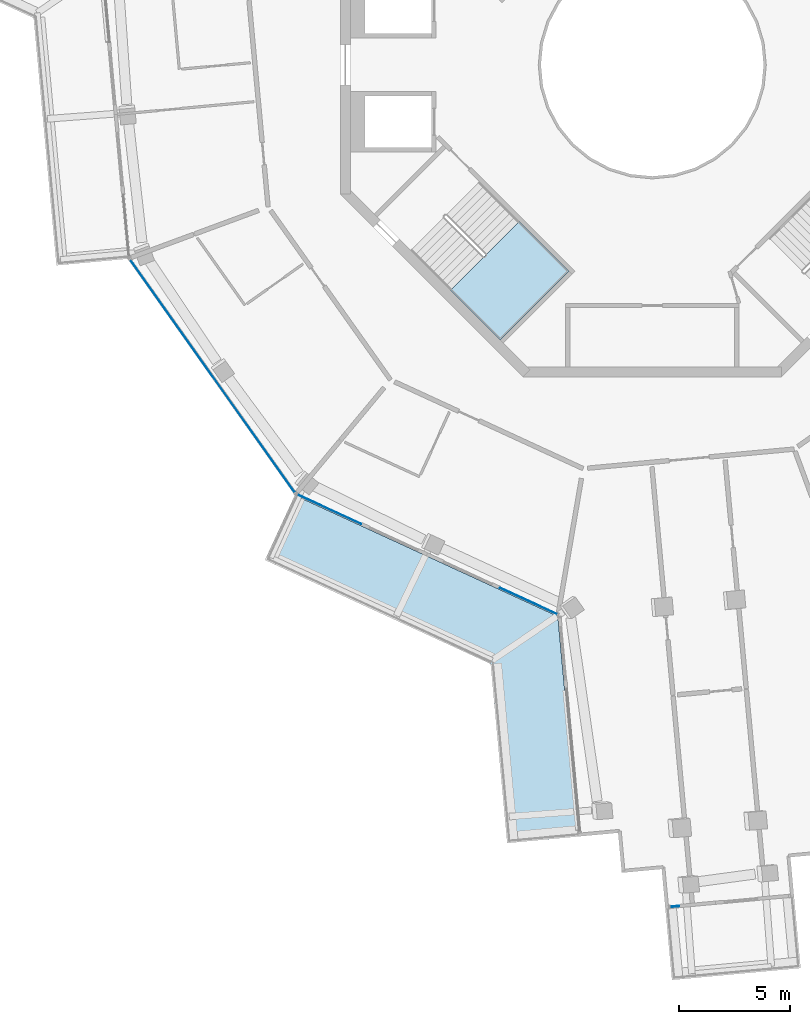
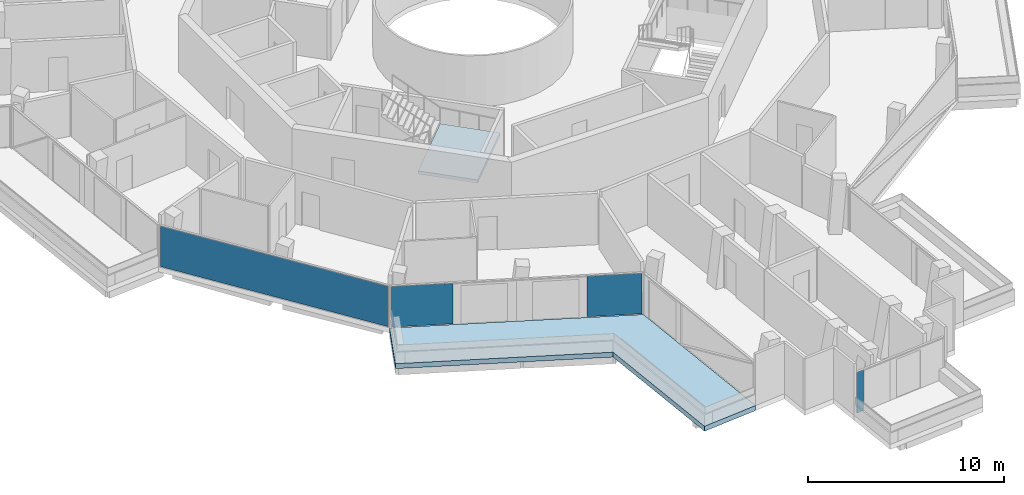
# One storey, part 12 of 25: 4 plates, 2 slabs, 4 elements without a shape of their own.
"""IFC4 building model written with IfcOpenShell, lengths in metres."""

from ifc_helpers import new_model, si_unit, direction, frame, origin, origin_2d, place, context, subcontext, project, spatial, polyline, rectangle, outline, extrude, material, layer, layer_set, type_object, element, aggregate, save


model = new_model("IFC4")

# Units and contexts
model_context = context("Model", 3, precision=1e-05, world=origin(), true_north=direction((0.0, 1.0)))
body_context = subcontext(model_context, "Body", "Model", "MODEL_VIEW")
ifc_project = project(units=[si_unit("LENGTHUNIT", "METRE"), si_unit("AREAUNIT", "SQUARE_METRE"), si_unit("VOLUMEUNIT", "CUBIC_METRE"), si_unit("PLANEANGLEUNIT", "RADIAN"), si_unit("MASSUNIT", "GRAM", prefix="KILO")], contexts=[model_context])

# Site, building, storey
site_placement = place(None, origin())
site = spatial("IfcSite", under=ifc_project, at=site_placement, CompositionType="ELEMENT")
building_placement = place(site_placement, origin())
building = spatial("IfcBuilding", under=site, at=building_placement, Name="Verdalira Terraces Hotel", CompositionType="ELEMENT")
storey_placement = place(building_placement, frame((0.0, 0.0, 299.5)))
storey = spatial("IfcBuildingStorey", under=building, at=storey_placement, Name="L74", CompositionType="ELEMENT", Elevation=299.5)

# Slab
ifc_material_1 = material(Name="Precast concrete C40/50", Category="concrete")
ifc_layer_1 = layer(ifc_material_1, 0.31005859375)
ifc_layer_set_1 = layer_set([ifc_layer_1], Name="Balcony deck 310")
slab_type_1 = type_object("IfcSlabType", Name="Balcony deck 310", PredefinedType="FLOOR", material=ifc_layer_set_1)
slab_1_placement = place(storey_placement, frame((0.0, 0.0, -0.310059)))
element("IfcSlab", 1, at=slab_1_placement, inside=storey, type_object=slab_type_1, Name="Balcony deck", PredefinedType="FLOOR", context=body_context, shape_type="SweptSolid", body=[
    extrude(outline(polyline([(-7.256592, -26.887695), (-6.513184, -34.931396), (-3.32666, -34.636963), (-4.23999, -24.753662), (-16.048828, -19.317139), (-17.386963, -22.223877), (-7.256592, -26.887695)])), origin(), (0.0, 0.0, 1.0), 0.310059),
])

# Curtain wall, plate
ifc_material_2 = material(Name="Clear glass", Category="glass")
ifc_layer_2 = layer(ifc_material_2, 0.14990234375)
ifc_layer_set_2 = layer_set([ifc_layer_2], Name="CW1 curtain wall")
curtain_wall_type_1 = type_object("IfcCurtainWallType", Name="CW1 curtain wall", PredefinedType="NOTDEFINED", material=ifc_layer_set_2)
curtain_wall_1_placement = place(storey_placement, origin())
curtain_wall_1 = element("IfcCurtainWall", 2, at=curtain_wall_1_placement, inside=storey, type_object=curtain_wall_type_1, Name="CW1 curtain wall L74 edge 12", PredefinedType="NOTDEFINED")
ifc_material_3 = material(Name="Clear glass", Category="glass")
ifc_layer_3 = layer(ifc_material_3, 0.028076171875)
ifc_layer_set_3 = layer_set([ifc_layer_3], Name="CW1 glass unit 28")
plate_type_1 = type_object("IfcPlateType", Name="CW1 glass unit 28", PredefinedType="CURTAIN_PANEL", material=ifc_layer_set_3)
plate_1_placement = place(storey_placement, frame((-19.741699, -13.967529, 0.0), z_axis=(0.0, 0.0, 1.0), x_axis=(0.577572703, -0.816339251, 0.0)))
plate_1 = element("IfcPlate", 3, at=plate_1_placement, type_object=plate_type_1, Name="CW1 glass unit", PredefinedType="CURTAIN_PANEL", context=body_context, shape_type="SweptSolid", body=[
    extrude(rectangle(XDim=12.799561, YDim=0.028076, at=origin_2d()), origin(), (0.0, 0.0, 1.0), 2.524902),
])
aggregate(curtain_wall_1, [plate_1])

# Curtain wall, plates
curtain_wall_2_placement = place(storey_placement, origin())
curtain_wall_2 = element("IfcCurtainWall", 4, at=curtain_wall_2_placement, inside=storey, type_object=curtain_wall_type_1, Name="CW1 curtain wall L74 edge 13", PredefinedType="NOTDEFINED")
plate_2_placement = place(storey_placement, frame((-14.49585, -19.949463, 0.0), z_axis=(0.0, 0.0, 1.0), x_axis=(0.908362259, -0.418184178, 0.0)))
plate_2 = element("IfcPlate", 5, at=plate_2_placement, type_object=plate_type_1, Name="CW1 glass unit", PredefinedType="CURTAIN_PANEL", context=body_context, shape_type="SweptSolid", body=[
    extrude(rectangle(XDim=3.149902, YDim=0.028076, at=origin_2d()), origin(), (0.0, 0.0, 1.0), 2.524902),
])
plate_3_placement = place(storey_placement, frame((-5.548096, -24.068848, 0.0), z_axis=(0.0, 0.0, 1.0), x_axis=(0.908362259, -0.418184178, 0.0)))
plate_3 = element("IfcPlate", 6, at=plate_3_placement, type_object=plate_type_1, Name="CW1 glass unit", PredefinedType="CURTAIN_PANEL", context=body_context, shape_type="SweptSolid", body=[
    extrude(rectangle(XDim=2.828613, YDim=0.028076, at=origin_2d()), origin(), (0.0, 0.0, 1.0), 2.524902),
])
aggregate(curtain_wall_2, [plate_2, plate_3])

# Curtain wall, plate
ifc_material_4 = material(Name="Clear glass", Category="glass")
ifc_layer_4 = layer(ifc_material_4, 0.14990234375)
ifc_layer_set_4 = layer_set([ifc_layer_4], Name="CW3 curtain wall")
curtain_wall_type_2 = type_object("IfcCurtainWallType", Name="CW3 curtain wall", PredefinedType="NOTDEFINED", material=ifc_layer_set_4)
curtain_wall_3_placement = place(storey_placement, origin())
curtain_wall_3 = element("IfcCurtainWall", 7, at=curtain_wall_3_placement, inside=storey, type_object=curtain_wall_type_2, Name="CW3 curtain wall L74 edge 19", PredefinedType="NOTDEFINED")
ifc_material_5 = material(Name="Clear glass", Category="glass")
ifc_layer_5 = layer(ifc_material_5, 0.035888671875)
ifc_layer_set_5 = layer_set([ifc_layer_5], Name="CW3 glass unit 36")
plate_type_2 = type_object("IfcPlateType", Name="CW3 glass unit 36", PredefinedType="CURTAIN_PANEL", material=ifc_layer_set_5)
plate_4_placement = place(storey_placement, frame((1.010498, -37.776123, 0.0), z_axis=(0.0, 0.0, 1.0), x_axis=(0.995756881, 0.092023008, 0.0)))
plate_4 = element("IfcPlate", 8, at=plate_4_placement, type_object=plate_type_2, Name="CW3 glass unit", PredefinedType="CURTAIN_PANEL", context=body_context, shape_type="SweptSolid", body=[
    extrude(rectangle(XDim=0.399902, YDim=0.035889, at=origin_2d()), origin(), (0.0, 0.0, 1.0), 2.524902),
])
aggregate(curtain_wall_3, [plate_4])

# Stair, slab
ifc_material_6 = material(Name="Concrete C40", Category="concrete")
stair_type = type_object("IfcStairType", Name="Core stair 20 risers 2125 mm wide", PredefinedType="HALF_TURN_STAIR", material=ifc_material_6)
stair_placement = place(storey_placement, origin())
stair = element("IfcStair", 9, at=stair_placement, inside=storey, type_object=stair_type, Name="L74 Exit stair ST2", PredefinedType="HALF_TURN_STAIR")
ifc_material_7 = material(Name="Concrete C40", Category="concrete")
ifc_layer_6 = layer(ifc_material_7, 0.199951171875)
ifc_layer_set_6 = layer_set([ifc_layer_6], Name="Core stair landing 200 mm")
slab_type_2 = type_object("IfcSlabType", Name="Core stair landing 200 mm", PredefinedType="LANDING", material=ifc_layer_set_6)
slab_2_placement = place(storey_placement, frame((0.0, 0.0, 1.550049)))
slab_2 = element("IfcSlab", 10, at=slab_2_placement, type_object=slab_type_2, Name="ST2 landing 1", PredefinedType="LANDING", context=body_context, shape_type="SweptSolid", body=[
    extrude(outline(polyline([(-9.054932, -10.107666), (-6.823486, -12.339111), (-3.747559, -9.263184), (-5.979004, -7.031738), (-9.054932, -10.107666)])), origin(), (0.0, 0.0, 1.0), 0.199951),
])
aggregate(stair, [slab_2])

save(model, "model.ifc")
